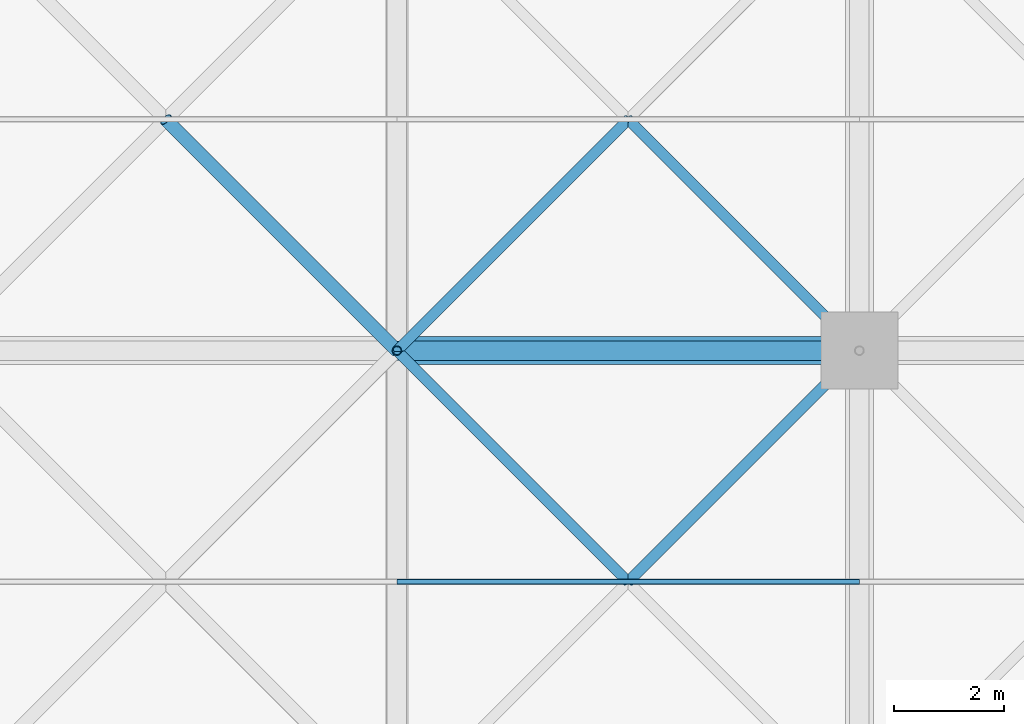
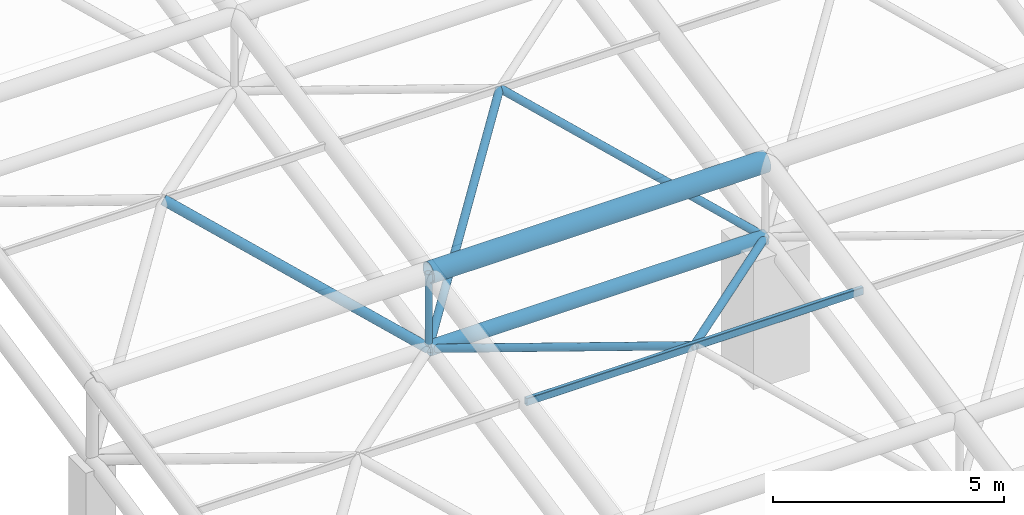
# One storey, part 25 of 110: 9 members.
"""IFC4 building model written with IfcOpenShell, lengths in metres."""

from ifc_helpers import new_model, si_unit, direction, frame, origin, origin_2d, place, context, subcontext, project, spatial, hollow_rectangle, hollow_circle, extrude, material, material_profile, profile_set, type_object, element, save


model = new_model("IFC4")

# Units and contexts
model_context = context("Model", 3, precision=1e-05, world=origin(), true_north=direction((0.0, 1.0)))
body_context = subcontext(model_context, "Body", "Model", "MODEL_VIEW")
ifc_project = project(units=[si_unit("LENGTHUNIT", "METRE"), si_unit("AREAUNIT", "SQUARE_METRE"), si_unit("VOLUMEUNIT", "CUBIC_METRE"), si_unit("PLANEANGLEUNIT", "RADIAN"), si_unit("MASSUNIT", "GRAM", prefix="KILO")], contexts=[model_context])

# Site, building, storey
site_placement = place(None, origin())
site = spatial("IfcSite", under=ifc_project, at=site_placement, CompositionType="ELEMENT")
building_placement = place(site_placement, origin())
building = spatial("IfcBuilding", under=site, at=building_placement, Name="Qawsi Khor Wholesale Market", CompositionType="ELEMENT")
storey_placement = place(building_placement, frame((0.0, 0.0, 11.39990234375)))
storey = spatial("IfcBuildingStorey", under=building, at=storey_placement, Name="L02", CompositionType="ELEMENT", Elevation=11.39990234375)

# Members
ifc_material = material(Name="Steel S355", Category="steel")
ifc_material_profile_1 = material_profile(ifc_material, hollow_circle(Radius=0.177734375, WallThickness=0.01611328125, at=origin_2d()), Name="CHS 355.6x16.0")
ifc_profile_set_1 = profile_set([ifc_material_profile_1], Name="Steel S355")
member_type_1 = type_object("IfcMemberType", Name="Space-Frame Bottom Chord CHS 355.6x16.0", PredefinedType="CHORD", material=ifc_profile_set_1)
member_1_placement = place(storey_placement, frame((151.199951171875, 58.800048828125, 3.3701171875), z_axis=(1.0, 0.0, 0.0), x_axis=(0.0, 1.0, 0.0)))
element("IfcMember", 1, at=member_1_placement, inside=storey, type_object=member_type_1, Name="Space frame bottom chord X EH (18,7)", PredefinedType="CHORD", context=body_context, shape_type="SweptSolid", body=[
    extrude(hollow_circle(Radius=0.177734375, WallThickness=0.01611328125, at=origin_2d()), origin(), (0.0, 0.0, 1.0), 8.400146484375),
])
ifc_material_profile_2 = material_profile(ifc_material, hollow_circle(Radius=0.122314453125, WallThickness=0.012451171875, at=origin_2d()), Name="CHS 244.5x12.5")
ifc_profile_set_2 = profile_set([ifc_material_profile_2], Name="Steel S355")
member_type_2 = type_object("IfcMemberType", Name="Space-Frame Heavy Diagonal CHS 244.5x12.5", PredefinedType="POST", material=ifc_profile_set_2)
member_2_placement = place(storey_placement, frame((151.199951171875, 58.800048828125, 3.3701171875), z_axis=(-0.637511741089, 0.637511741089, 0.432617105474), x_axis=(-0.707106781187, -0.707106781187, 0.0)))
element("IfcMember", 2, at=member_2_placement, inside=storey, type_object=member_type_2, Name="Space frame diagonal EH (17,7)-2", PredefinedType="POST", context=body_context, shape_type="SweptSolid", body=[
    extrude(hollow_circle(Radius=0.122314453125, WallThickness=0.012451171875, at=origin_2d()), origin(), (0.0, 0.0, 1.0), 6.588134765625),
])
ifc_material_profile_3 = material_profile(ifc_material, hollow_circle(Radius=0.25390625, WallThickness=0.02490234375, at=origin_2d()), Name="CHS 508.0x25.0")
ifc_profile_set_3 = profile_set([ifc_material_profile_3], Name="Steel S355")
member_type_3 = type_object("IfcMemberType", Name="Space-Frame Main Chord CHS 508.0x25.0", PredefinedType="CHORD", material=ifc_profile_set_3)
member_3_placement = place(storey_placement, frame((151.199951171875, 58.800048828125, 5.3701171875), z_axis=(1.0, 0.0, 0.0), x_axis=(0.0, 1.0, 0.0)))
element("IfcMember", 3, at=member_3_placement, inside=storey, type_object=member_type_3, Name="Space frame top chord X EH (18,7)", PredefinedType="CHORD", context=body_context, shape_type="SweptSolid", body=[
    extrude(hollow_circle(Radius=0.25390625, WallThickness=0.02490234375, at=origin_2d()), origin(), (0.0, 0.0, 1.0), 8.400146484375),
])
ifc_material_profile_4 = material_profile(ifc_material, hollow_rectangle(XDim=0.10009765625, YDim=0.199951171875, WallThickness=0.008056640625, InnerFilletRadius=0.008056640625, OuterFilletRadius=0.01611328125, at=origin_2d()), Name="RHS 200x100x8.0")
ifc_profile_set_4 = profile_set([ifc_material_profile_4], Name="Steel S355")
member_type_4 = type_object("IfcMemberType", Name="Space-Frame Purlin RHS 200x100x8.0", PredefinedType="PURLIN", material=ifc_profile_set_4)
member_4_placement = place(storey_placement, frame((151.199951171875, 54.60009765625, 4.52001953125), z_axis=(1.0, 0.0, 0.0), x_axis=(0.0, 1.0, 0.0)))
element("IfcMember", 4, at=member_4_placement, inside=storey, type_object=member_type_4, Name="Space frame purlin EH (18,6)", PredefinedType="PURLIN", context=body_context, shape_type="SweptSolid", body=[
    extrude(hollow_rectangle(XDim=0.10009765625, YDim=0.199951171875, WallThickness=0.008056640625, InnerFilletRadius=0.008056640625, OuterFilletRadius=0.01611328125, at=origin_2d()), origin(), (0.0, 0.0, 1.0), 8.400146484375),
])
ifc_material_profile_5 = material_profile(ifc_material, hollow_circle(Radius=0.096923828125, WallThickness=0.008056640625, at=origin_2d()), Name="CHS 193.7x8.0")
ifc_profile_set_5 = profile_set([ifc_material_profile_5], Name="Steel S355")
member_type_5 = type_object("IfcMemberType", Name="Space-Frame Secondary Diagonal CHS 193.7x8.0", PredefinedType="RAFTER", material=ifc_profile_set_5)
member_5_placement = place(storey_placement, frame((159.60009765625, 58.800048828125, 3.3701171875), z_axis=(-0.694237619642, -0.694197266374, 0.19006389145), x_axis=(0.70708622964, -0.707127332136, 0.0)))
element("IfcMember", 5, at=member_5_placement, inside=storey, type_object=member_type_5, Name="Space frame diagonal EH (18,6)-3", PredefinedType="RAFTER", context=body_context, shape_type="SweptSolid", body=[
    extrude(hollow_circle(Radius=0.096923828125, WallThickness=0.008056640625, at=origin_2d()), origin(), (0.0, 0.0, 1.0), 6.050048828125),
])
member_6_placement = place(storey_placement, frame((151.199951171875, 58.800048828125, 3.3701171875), z_axis=(0.694216714393, -0.694216714393, 0.190069216113), x_axis=(0.707106781187, 0.707106781187, 0.0)))
element("IfcMember", 6, at=member_6_placement, inside=storey, type_object=member_type_5, Name="Space frame diagonal EH (18,6)-4", PredefinedType="RAFTER", context=body_context, shape_type="SweptSolid", body=[
    extrude(hollow_circle(Radius=0.096923828125, WallThickness=0.008056640625, at=origin_2d()), origin(), (0.0, 0.0, 1.0), 6.0498046875),
])
for number, where, z_axis, x_axis, name in (
    (7, (151.199951171875, 58.800048828125, 3.3701171875), (0.637511741089, 0.637511741089, 0.432617105474), (-0.707106781187, 0.707106781187, 0.0), "Space frame diagonal EH (18,7)-1"),
    (8, (159.60009765625, 58.800048828125, 3.3701171875), (-0.637533737254, 0.637496679957, 0.432606884951), (-0.70708622964, -0.707127332136, 0.0), "Space frame diagonal EH (18,7)-2"),
):
    element("IfcMember", number, at=place(storey_placement, frame(where, z_axis=z_axis, x_axis=x_axis)), inside=storey, type_object=member_type_5, Name=name, PredefinedType="RAFTER", context=body_context, shape_type="SweptSolid", body=[
        extrude(hollow_circle(Radius=0.096923828125, WallThickness=0.008056640625, at=origin_2d()), origin(), (0.0, 0.0, 1.0), 6.588134765625),
    ])
ifc_material_profile_6 = material_profile(ifc_material, hollow_circle(Radius=0.084228515625, WallThickness=0.008056640625, at=origin_2d()), Name="CHS 168.3x8.0")
ifc_profile_set_6 = profile_set([ifc_material_profile_6], Name="Steel S355")
member_type_6 = type_object("IfcMemberType", Name="Space-Frame Vertical Strut CHS 168.3x8.0", PredefinedType="STRUT", material=ifc_profile_set_6)
member_7_placement = place(storey_placement, frame((151.199951171875, 58.800048828125, 3.3701171875), z_axis=(0.0, 0.0, 1.0), x_axis=(1.0, 0.0, 0.0)))
element("IfcMember", 9, at=member_7_placement, inside=storey, type_object=member_type_6, Name="Space frame post EH (18,7)", PredefinedType="STRUT", context=body_context, shape_type="SweptSolid", body=[
    extrude(hollow_circle(Radius=0.084228515625, WallThickness=0.008056640625, at=origin_2d()), origin(), (0.0, 0.0, 1.0), 2.0),
])

save(model, "model.ifc")
